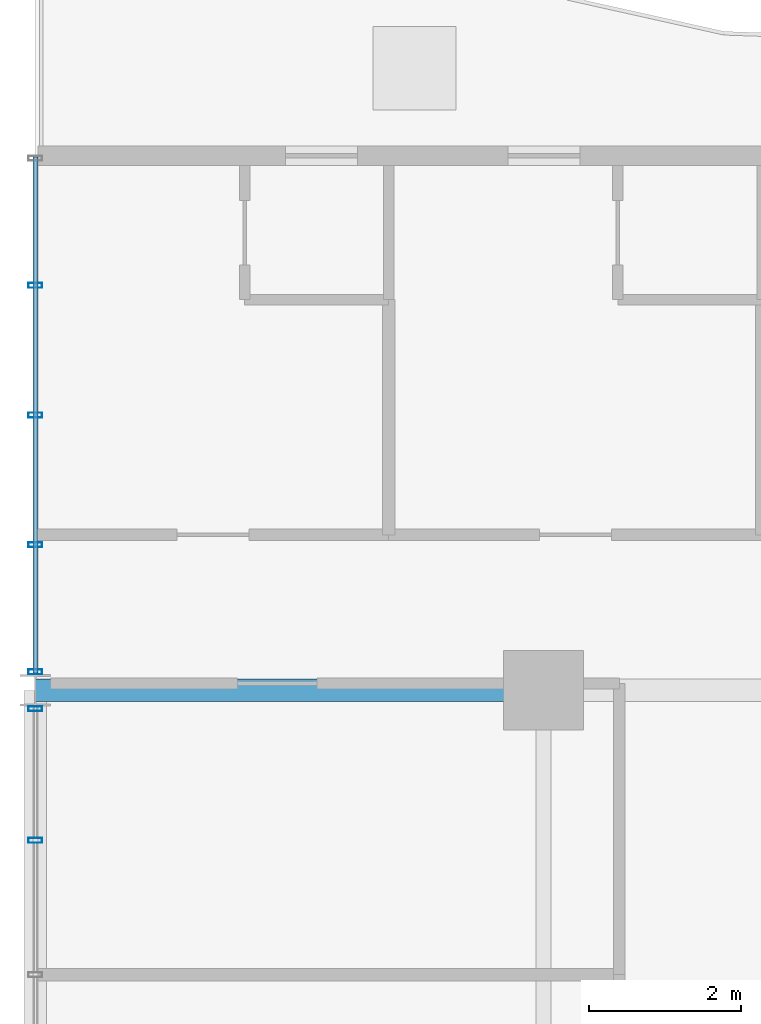
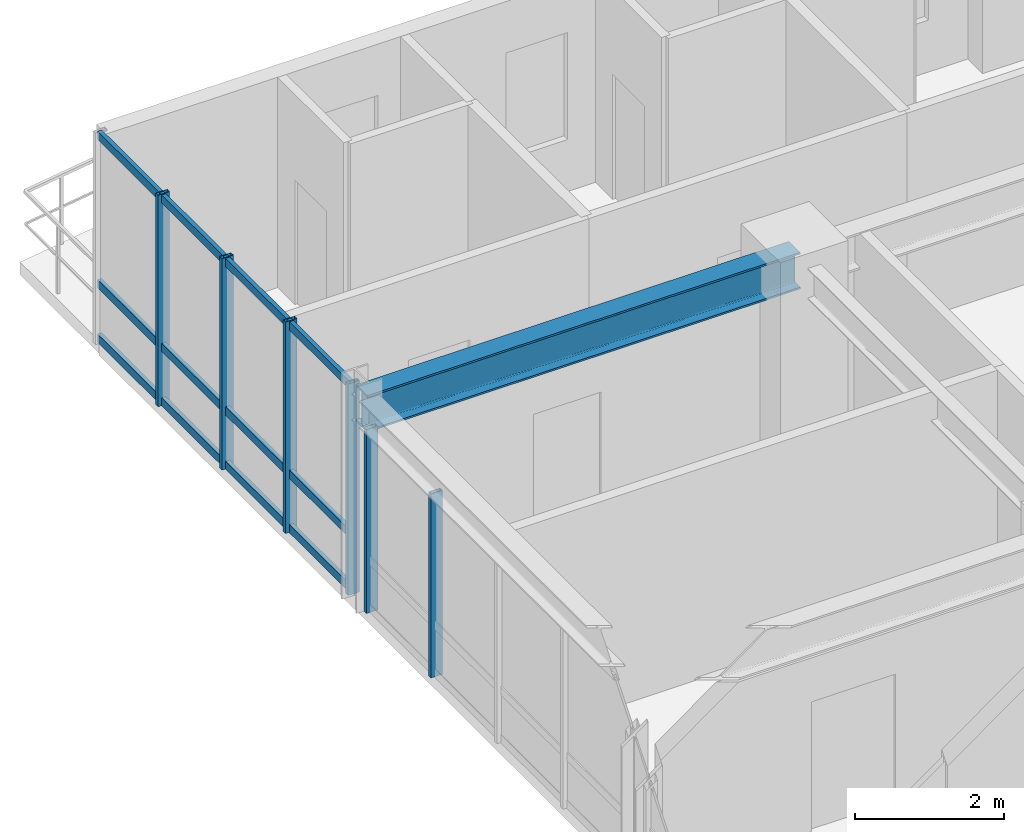
# One storey, part 7 of 20: 9 members, 1 beam, 2 elements without a shape of their own.
"""IFC4 building model written with IfcOpenShell, lengths in metres."""

from ifc_helpers import new_model, si_unit, direction, frame, origin, origin_2d, place, context, subcontext, project, spatial, hollow_rectangle, i_section, extrude, source, transform, mapped, material, layer, layer_set, material_profile, profile_set, type_object, element, aggregate, save


model = new_model("IFC4")

# Units and contexts
model_context = context("Model", 3, precision=1e-05, world=origin(), true_north=direction((0.0, 1.0)))
body_context = subcontext(model_context, "Body", "Model", "MODEL_VIEW")
ifc_project = project(units=[si_unit("LENGTHUNIT", "METRE"), si_unit("AREAUNIT", "SQUARE_METRE"), si_unit("VOLUMEUNIT", "CUBIC_METRE"), si_unit("PLANEANGLEUNIT", "RADIAN"), si_unit("MASSUNIT", "GRAM", prefix="KILO")], contexts=[model_context])

# Site, building, storey
site_placement = place(None, origin())
site = spatial("IfcSite", under=ifc_project, at=site_placement, CompositionType="ELEMENT")
building_placement = place(site_placement, origin())
building = spatial("IfcBuilding", under=site, at=building_placement, Name="Kaliganga Portal Commons", CompositionType="ELEMENT")
storey_placement = place(building_placement, frame((0.0, 0.0, 155.0)))
storey = spatial("IfcBuildingStorey", under=building, at=storey_placement, Name="L39", CompositionType="ELEMENT", Elevation=155.0)

# Beam
ifc_material_1 = material(Name="Structural steel S355J2", Category="steel")
ifc_material_profile_1 = material_profile(ifc_material_1, i_section(OverallWidth=0.300048828125, OverallDepth=0.60009765625, WebThickness=0.015380859375, FlangeThickness=0.030029296875, FilletRadius=0.027099609375, at=origin_2d()), Name="HE 600 B")
ifc_profile_set_1 = profile_set([ifc_material_profile_1], Name="Structural steel S355J2 wide-flange")
beam_type = type_object("IfcBeamType", Name="BM-GIRD-600", PredefinedType="USERDEFINED", material=ifc_profile_set_1)
shared_shape_1 = source(origin(), body_context, "Body", "SweptSolid", [
    extrude(i_section(OverallWidth=0.300048828125, OverallDepth=0.60009765625, WebThickness=0.015380859375, FlangeThickness=0.030029296875, FilletRadius=0.027099609375, at=origin_2d()), origin(), (0.0, 0.0, 1.0), 6.699951171875),
])
beam_placement = place(storey_placement, frame((0.5, 36.14990234375, 3.159912109375), z_axis=(1.0, 0.0, 0.0), x_axis=(0.0, 1.0, 0.0)))
element("IfcBeam", 1, at=beam_placement, inside=storey, type_object=beam_type, Name="BM G L39 WAH_N 1", ObjectType="GIRDER", PredefinedType="USERDEFINED", context=body_context, shape_type="MappedRepresentation", body=[
    mapped(shared_shape_1, transform((0.0, 0.0, 0.0), x_axis=(1.0, 0.0, 0.0), y_axis=(0.0, 1.0, 0.0), z_axis=(0.0, 0.0, 1.0), scale=1.0)),
])

# Curtain wall, members
ifc_material_2 = material(Name="Anodized Aluminium and Laminated Low-E Glass", Category="aluminium")
ifc_layer = layer(ifc_material_2, 0.199951171875)
ifc_layer_set = layer_set([ifc_layer], Name="Anodized Aluminium and Laminated Low-E Glass")
curtain_wall_type = type_object("IfcCurtainWallType", Name="CW-SYS-02", PredefinedType="NOTDEFINED", material=ifc_layer_set)
curtain_wall_1_placement = place(storey_placement, origin())
curtain_wall_1 = element("IfcCurtainWall", 2, at=curtain_wall_1_placement, inside=storey, type_object=curtain_wall_type, Name="CW 02 L39 P1E03S1", PredefinedType="NOTDEFINED")
ifc_material_3 = material(Name="Dark Bronze Anodized Aluminium", Category="aluminium")
ifc_material_profile_2 = material_profile(ifc_material_3, hollow_rectangle(XDim=0.06494140625, YDim=0.179931640625, WallThickness=0.00390625, at=origin_2d()), Name="ALU MULL 65x180x4")
ifc_profile_set_2 = profile_set([ifc_material_profile_2], Name="Dark Bronze Anodized Aluminium")
member_type_1 = type_object("IfcMemberType", Name="CW-MUL-180", PredefinedType="MULLION", material=ifc_profile_set_2)
shared_shape_2 = source(origin(), body_context, "Body", "SweptSolid", [
    extrude(hollow_rectangle(XDim=0.06494140625, YDim=0.179931640625, WallThickness=0.00390625, at=origin_2d()), origin(), (0.0, 0.0, 1.0), 3.4599609375),
])
member_1_placement = place(storey_placement, frame((0.5, 41.489501953125, 0.0), z_axis=(0.0, 0.0, 1.0), x_axis=(0.0, -1.0, 0.0)))
member_1 = element("IfcMember", 3, at=member_1_placement, type_object=member_type_1, Name="CW:02:L39:P1E03S1 Mullion 01", PredefinedType="MULLION", context=body_context, shape_type="MappedRepresentation", body=[
    mapped(shared_shape_2, transform((0.0, 0.0, 0.0), x_axis=(1.0, 0.0, 0.0), y_axis=(0.0, 1.0, 0.0), z_axis=(0.0, 0.0, 1.0), scale=1.0)),
])
member_2_placement = place(storey_placement, frame((0.5, 39.779052734375, 0.0), z_axis=(0.0, 0.0, 1.0), x_axis=(0.0, -1.0, 0.0)))
member_2 = element("IfcMember", 4, at=member_2_placement, type_object=member_type_1, Name="CW:02:L39:P1E03S1 Mullion 02", PredefinedType="MULLION", context=body_context, shape_type="MappedRepresentation", body=[
    mapped(shared_shape_2, transform((0.0, 0.0, 0.0), x_axis=(1.0, 0.0, 0.0), y_axis=(0.0, 1.0, 0.0), z_axis=(0.0, 0.0, 1.0), scale=1.0)),
])
member_3_placement = place(storey_placement, frame((0.5, 38.068603515625, 0.0), z_axis=(0.0, 0.0, 1.0), x_axis=(0.0, -1.0, 0.0)))
member_3 = element("IfcMember", 5, at=member_3_placement, type_object=member_type_1, Name="CW:02:L39:P1E03S1 Mullion 03", PredefinedType="MULLION", context=body_context, shape_type="MappedRepresentation", body=[
    mapped(shared_shape_2, transform((0.0, 0.0, 0.0), x_axis=(1.0, 0.0, 0.0), y_axis=(0.0, 1.0, 0.0), z_axis=(0.0, 0.0, 1.0), scale=1.0)),
])
member_4_placement = place(storey_placement, frame((0.5, 36.39306640625, 0.0), z_axis=(0.0, 0.0, 1.0), x_axis=(0.0, -1.0, 0.0)))
member_4 = element("IfcMember", 6, at=member_4_placement, type_object=member_type_1, Name="CW:02:L39:P1E03S1 Mullion 04", PredefinedType="MULLION", context=body_context, shape_type="MappedRepresentation", body=[
    mapped(shared_shape_2, transform((0.0, 0.0, 0.0), x_axis=(1.0, 0.0, 0.0), y_axis=(0.0, 1.0, 0.0), z_axis=(0.0, 0.0, 1.0), scale=1.0)),
])
ifc_material_profile_3 = material_profile(ifc_material_3, hollow_rectangle(XDim=0.06494140625, YDim=0.135009765625, WallThickness=0.00341796875, at=origin_2d()), Name="ALU TRAN 65x135x3.5")
ifc_profile_set_3 = profile_set([ifc_material_profile_3], Name="Dark Bronze Anodized Aluminium")
member_type_2 = type_object("IfcMemberType", Name="CW-TRN-135", PredefinedType="USERDEFINED", material=ifc_profile_set_3)
shared_shape_3 = source(origin(), body_context, "Body", "SweptSolid", [
    extrude(hollow_rectangle(XDim=0.06494140625, YDim=0.135009765625, WallThickness=0.00341796875, at=origin_2d()), origin(), (0.0, 0.0, 1.0), 6.802001953125),
])
member_5_placement = place(storey_placement, frame((0.5, 43.179931640625, 0.06005859375), z_axis=(0.0, -1.0, 0.0), x_axis=(1.0, 0.0, 0.0)))
member_5 = element("IfcMember", 7, at=member_5_placement, type_object=member_type_2, Name="CW:02:L39:P1E03S1 Transom 1", ObjectType="TRANSOM", PredefinedType="USERDEFINED", context=body_context, shape_type="MappedRepresentation", body=[
    mapped(shared_shape_3, transform((0.0, 0.0, 0.0), x_axis=(1.0, 0.0, 0.0), y_axis=(0.0, 1.0, 0.0), z_axis=(0.0, 0.0, 1.0), scale=1.0)),
])
member_6_placement = place(storey_placement, frame((0.5, 43.179931640625, 0.949951171875), z_axis=(0.0, -1.0, 0.0), x_axis=(1.0, 0.0, 0.0)))
member_6 = element("IfcMember", 8, at=member_6_placement, type_object=member_type_2, Name="CW:02:L39:P1E03S1 Transom 2", ObjectType="TRANSOM", PredefinedType="USERDEFINED", context=body_context, shape_type="MappedRepresentation", body=[
    mapped(shared_shape_3, transform((0.0, 0.0, 0.0), x_axis=(1.0, 0.0, 0.0), y_axis=(0.0, 1.0, 0.0), z_axis=(0.0, 0.0, 1.0), scale=1.0)),
])
member_7_placement = place(storey_placement, frame((0.5, 43.179931640625, 3.3798828125), z_axis=(0.0, -1.0, 0.0), x_axis=(1.0, 0.0, 0.0)))
member_7 = element("IfcMember", 9, at=member_7_placement, type_object=member_type_2, Name="CW:02:L39:P1E03S1 Transom 3", ObjectType="TRANSOM", PredefinedType="USERDEFINED", context=body_context, shape_type="MappedRepresentation", body=[
    mapped(shared_shape_3, transform((0.0, 0.0, 0.0), x_axis=(1.0, 0.0, 0.0), y_axis=(0.0, 1.0, 0.0), z_axis=(0.0, 0.0, 1.0), scale=1.0)),
])
aggregate(curtain_wall_1, [member_1, member_2, member_3, member_4, member_5, member_6, member_7])

curtain_wall_2_placement = place(storey_placement, origin())
curtain_wall_2 = element("IfcCurtainWall", 10, at=curtain_wall_2_placement, inside=storey, type_object=curtain_wall_type, Name="CW 02 L39 P1E03S2", PredefinedType="NOTDEFINED")
shared_shape_4 = source(origin(), body_context, "Body", "SweptSolid", [
    extrude(hollow_rectangle(XDim=0.06494140625, YDim=0.179931640625, WallThickness=0.00390625, at=origin_2d()), origin(), (0.0, 0.0, 1.0), 3.010009765625),
])
member_8_placement = place(storey_placement, frame((0.5, 35.906982421875, 0.0), z_axis=(0.0, 0.0, 1.0), x_axis=(0.0, -1.0, 0.0)))
member_8 = element("IfcMember", 11, at=member_8_placement, type_object=member_type_1, Name="CW:02:L39:P1E03S2 Mullion 00", PredefinedType="MULLION", context=body_context, shape_type="MappedRepresentation", body=[
    mapped(shared_shape_4, transform((0.0, 0.0, 0.0), x_axis=(1.0, 0.0, 0.0), y_axis=(0.0, 1.0, 0.0), z_axis=(0.0, 0.0, 1.0), scale=1.0)),
])
member_9_placement = place(storey_placement, frame((0.5, 34.1708984375, 0.0), z_axis=(0.0, 0.0, 1.0), x_axis=(0.0, -1.0, 0.0)))
member_9 = element("IfcMember", 12, at=member_9_placement, type_object=member_type_1, Name="CW:02:L39:P1E03S2 Mullion 01", PredefinedType="MULLION", context=body_context, shape_type="MappedRepresentation", body=[
    mapped(shared_shape_4, transform((0.0, 0.0, 0.0), x_axis=(1.0, 0.0, 0.0), y_axis=(0.0, 1.0, 0.0), z_axis=(0.0, 0.0, 1.0), scale=1.0)),
])
aggregate(curtain_wall_2, [member_8, member_9])

save(model, "model.ifc")
